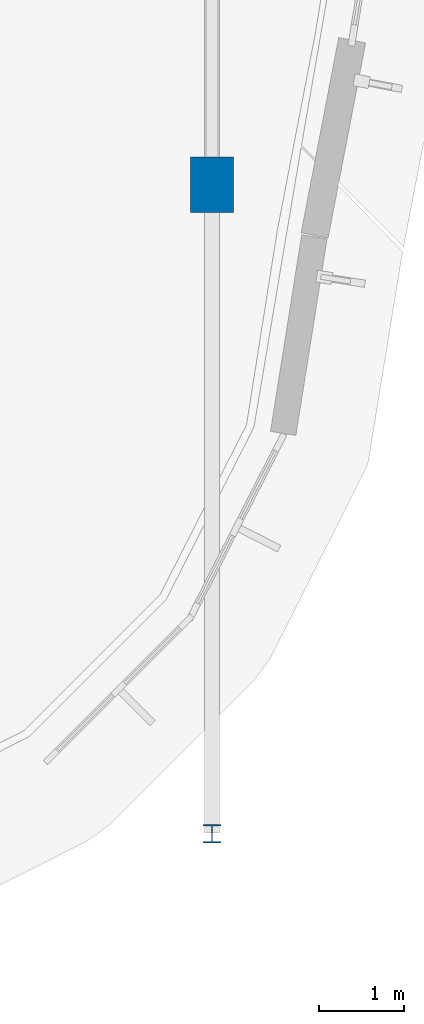
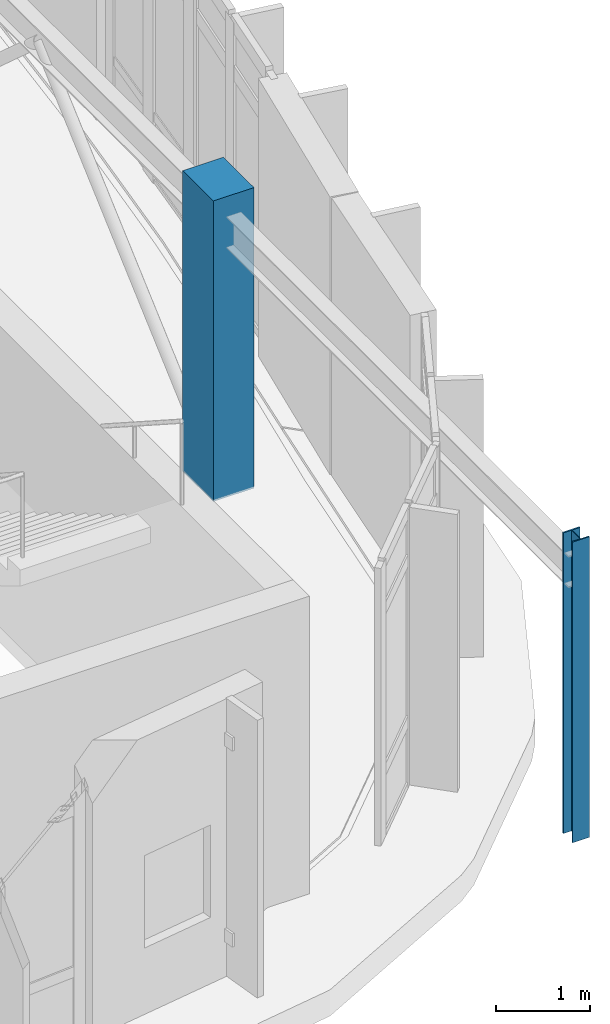
# One storey, part 5 of 105: 2 columns.
"""IFC4 building model written with IfcOpenShell, lengths in metres."""

from ifc_helpers import new_model, si_unit, direction, frame, origin, origin_2d, place, context, subcontext, project, spatial, rectangle, i_section, extrude, material, material_profile, profile_set, type_object, element, save


model = new_model("IFC4")

# Units and contexts
model_context = context("Model", 3, precision=1e-05, world=origin(), true_north=direction((0.0, 1.0)))
body_context = subcontext(model_context, "Body", "Model", "MODEL_VIEW")
ifc_project = project(units=[si_unit("LENGTHUNIT", "METRE"), si_unit("AREAUNIT", "SQUARE_METRE"), si_unit("VOLUMEUNIT", "CUBIC_METRE"), si_unit("PLANEANGLEUNIT", "RADIAN"), si_unit("MASSUNIT", "GRAM", prefix="KILO")], contexts=[model_context])

# Site, building, storey
site_placement = place(None, origin())
site = spatial("IfcSite", under=ifc_project, at=site_placement, CompositionType="ELEMENT")
building_placement = place(site_placement, origin())
building = spatial("IfcBuilding", under=site, at=building_placement, Name="Corveleigh Park Community Centre", CompositionType="ELEMENT")
storey_placement = place(building_placement, frame((0.0, 0.0, 8.699951171875)))
storey = spatial("IfcBuildingStorey", under=building, at=storey_placement, Name="L02", CompositionType="ELEMENT", Elevation=8.699951171875)

# Columns
ifc_material_1 = material(Name="Concrete C40/50", Category="concrete")
ifc_material_profile_1 = material_profile(ifc_material_1, rectangle(XDim=0.5, YDim=0.64990234375, at=origin_2d()), Name="RC-500x650", Category="concrete")
ifc_profile_set_1 = profile_set([ifc_material_profile_1], Name="Concrete C40/50")
column_type_1 = type_object("IfcColumnType", Name="COL-RC-500x650", PredefinedType="COLUMN", material=ifc_profile_set_1)
column_1_placement = place(storey_placement, frame((168.39990234375, 66.199951171875, 0.0), z_axis=(0.0, 0.0, 1.0), x_axis=(1.0, 0.0, 0.0)))
element("IfcColumn", 1, at=column_1_placement, inside=storey, type_object=column_type_1, Name="Column V4-X7Y1 L02", PredefinedType="COLUMN", context=body_context, shape_type="SweptSolid", body=[
    extrude(rectangle(XDim=0.5, YDim=0.64990234375, at=origin_2d()), origin(), (0.0, 0.0, 1.0), 3.900146484375),
])
ifc_material_2 = material(Name="Steel S355", Category="steel")
ifc_material_profile_2 = material_profile(ifc_material_2, i_section(OverallWidth=0.206298828125, OverallDepth=0.2158203125, WebThickness=0.010009765625, FlangeThickness=0.017333984375, at=origin_2d()), Name="UKC 203x203x71", Category="steel")
ifc_profile_set_2 = profile_set([ifc_material_profile_2], Name="Steel S355")
column_type_2 = type_object("IfcColumnType", Name="COL-STL-UKC203x71", PredefinedType="COLUMN", material=ifc_profile_set_2)
column_2_placement = place(storey_placement, frame((168.39990234375, 58.60009765625, 0.0), z_axis=(0.0, 0.0, 1.0), x_axis=(1.0, 0.0, 0.0)))
element("IfcColumn", 2, at=column_2_placement, inside=storey, type_object=column_type_2, Name="Column V4-X7Y0 L02", PredefinedType="COLUMN", context=body_context, shape_type="SweptSolid", body=[
    extrude(i_section(OverallWidth=0.206298828125, OverallDepth=0.2158203125, WebThickness=0.010009765625, FlangeThickness=0.017333984375, at=origin_2d()), origin(), (0.0, 0.0, 1.0), 3.900146484375),
])

save(model, "model.ifc")
